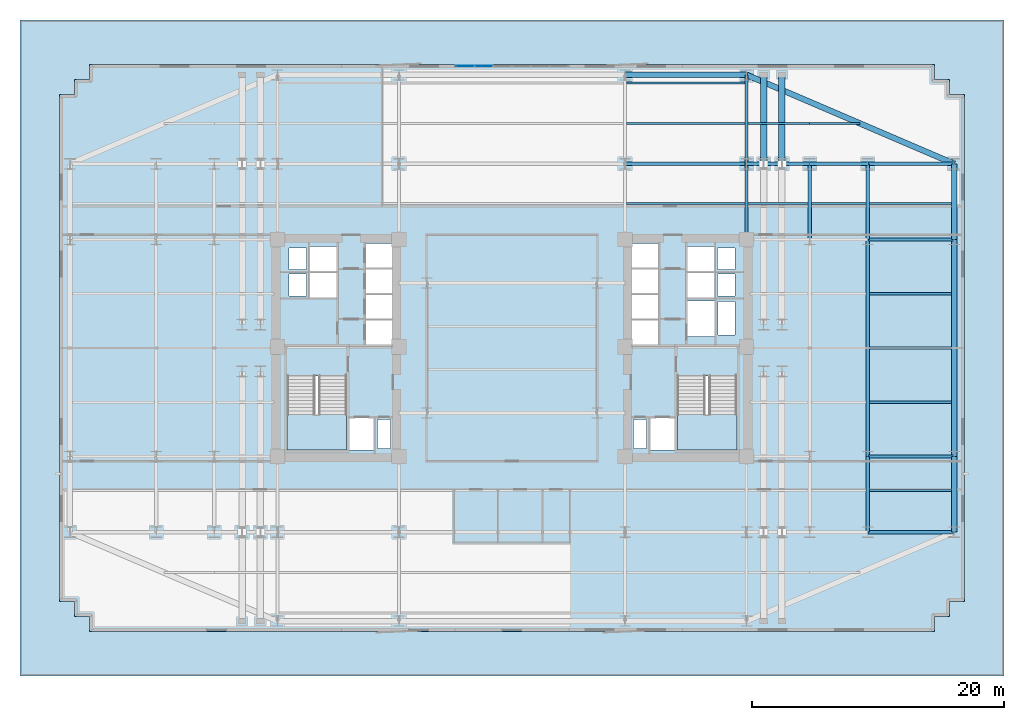
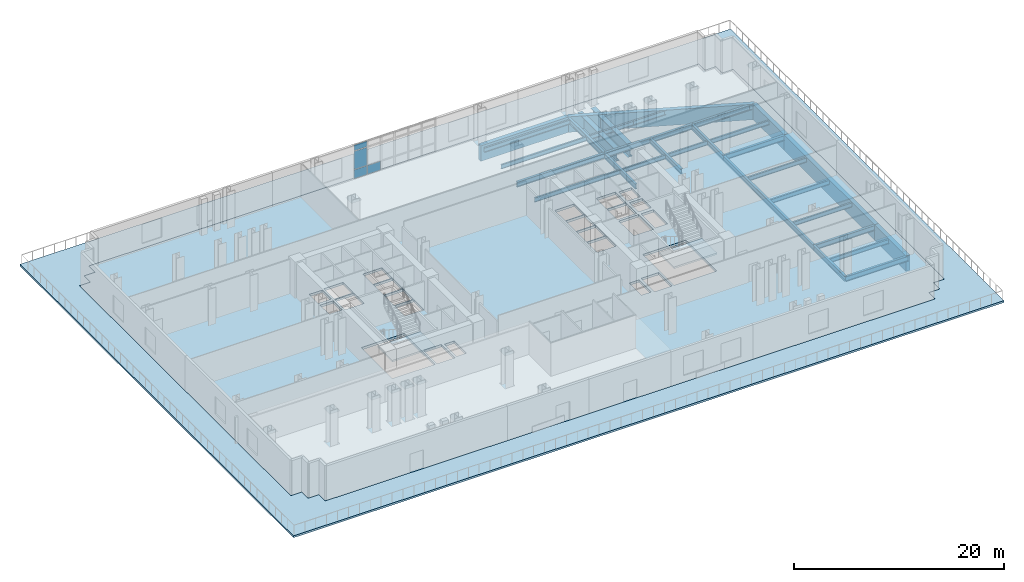
# One storey, part 4 of 14: 32 beams, 4 plates, 4 slabs, 3 elements without a shape of their own.
"""IFC4 building model written with IfcOpenShell, lengths in metres."""

from ifc_helpers import new_model, si_unit, direction, frame, origin, origin_2d, place, context, subcontext, project, spatial, polyline, rectangle, i_section, outline, extrude, material, layer, layer_set, material_profile, profile_set, type_object, element, aggregate, save


model = new_model("IFC4")

# Units and contexts
model_context = context("Model", 3, precision=1e-05, world=origin(), true_north=direction((0.0, 1.0)))
body_context = subcontext(model_context, "Body", "Model", "MODEL_VIEW")
ifc_project = project(units=[si_unit("LENGTHUNIT", "METRE"), si_unit("AREAUNIT", "SQUARE_METRE"), si_unit("VOLUMEUNIT", "CUBIC_METRE"), si_unit("PLANEANGLEUNIT", "RADIAN"), si_unit("MASSUNIT", "GRAM", prefix="KILO")], contexts=[model_context])

# Site, building, storey
site_placement = place(None, origin())
site = spatial("IfcSite", under=ifc_project, at=site_placement, CompositionType="ELEMENT")
building_placement = place(site_placement, origin())
building = spatial("IfcBuilding", under=site, at=building_placement, Name="Velakula Bourse", CompositionType="ELEMENT")
storey_placement = place(building_placement, frame((0.0, 0.0, 27.0)))
storey = spatial("IfcBuildingStorey", under=building, at=storey_placement, Name="L06", CompositionType="ELEMENT", Elevation=27.0)

# Beams
ifc_material_1 = material(Name="Steel IS 2062 Grade 350 (E350)", Category="steel")
ifc_material_profile_1 = material_profile(ifc_material_1, i_section(OverallWidth=0.25, OverallDepth=0.60009765625, WebThickness=0.01171875, FlangeThickness=0.023681640625, at=origin_2d()), Name="Steel IS 2062 Grade 350 (E350)")
ifc_profile_set_1 = profile_set([ifc_material_profile_1], Name="Steel IS 2062 Grade 350 (E350)")
beam_type_1 = type_object("IfcBeamType", Name="BM-GRD-600H", PredefinedType="BEAM", material=ifc_profile_set_1)
beam_1_placement = place(storey_placement, frame((18.60009765625, 8.60009765625, -0.580078125), z_axis=(0.0, 1.0, 0.0), x_axis=(-1.0, 0.0, 0.0)))
element("IfcBeam", 1, at=beam_1_placement, inside=storey, type_object=beam_type_1, Name="L06 Fulcrum Grid Girder FLC-EN", PredefinedType="BEAM", context=body_context, shape_type="SweptSolid", body=[
    extrude(i_section(OverallWidth=0.25, OverallDepth=0.60009765625, WebThickness=0.01171875, FlangeThickness=0.023681640625, at=origin_2d()), origin(), (0.0, 0.0, 1.0), 6.0),
])
beam_2_placement = place(storey_placement, frame((8.949951171875, 14.60009765625, -0.580078125), z_axis=(1.0, 0.0, 0.0), x_axis=(0.0, 1.0, 0.0)))
element("IfcBeam", 2, at=beam_2_placement, inside=storey, type_object=beam_type_1, Name="L06 Fulcrum Grid Girder FLC-N3", PredefinedType="BEAM", context=body_context, shape_type="SweptSolid", body=[
    extrude(i_section(OverallWidth=0.25, OverallDepth=0.60009765625, WebThickness=0.01171875, FlangeThickness=0.023681640625, at=origin_2d()), origin(), (0.0, 0.0, 1.0), 9.650146484375),
])
beam_3_placement = place(storey_placement, frame((18.60009765625, 14.60009765625, -0.580078125), z_axis=(1.0, 0.0, 0.0), x_axis=(0.0, 1.0, 0.0)))
element("IfcBeam", 3, at=beam_3_placement, inside=storey, type_object=beam_type_1, Name="L06 Fulcrum Grid Girder MWG-EN2", PredefinedType="BEAM", context=body_context, shape_type="SweptSolid", body=[
    extrude(i_section(OverallWidth=0.25, OverallDepth=0.60009765625, WebThickness=0.01171875, FlangeThickness=0.023681640625, at=origin_2d()), origin(), (0.0, 0.0, 1.0), 5.0),
])
beam_4_placement = place(storey_placement, frame((23.60009765625, 8.60009765625, -0.580078125), z_axis=(0.0, 1.0, 0.0), x_axis=(-1.0, 0.0, 0.0)))
element("IfcBeam", 4, at=beam_4_placement, inside=storey, type_object=beam_type_1, Name="L06 Fulcrum Grid Girder MWG-ENS3", PredefinedType="BEAM", context=body_context, shape_type="SweptSolid", body=[
    extrude(i_section(OverallWidth=0.25, OverallDepth=0.60009765625, WebThickness=0.01171875, FlangeThickness=0.023681640625, at=origin_2d()), origin(), (0.0, 0.0, 1.0), 6.0),
])
beam_5_placement = place(storey_placement, frame((23.60009765625, 14.60009765625, -0.580078125), z_axis=(1.0, 0.0, 0.0), x_axis=(0.0, 1.0, 0.0)))
element("IfcBeam", 5, at=beam_5_placement, inside=storey, type_object=beam_type_1, Name="L06 Fulcrum Grid Girder WNG-EN2", PredefinedType="BEAM", context=body_context, shape_type="SweptSolid", body=[
    extrude(i_section(OverallWidth=0.25, OverallDepth=0.60009765625, WebThickness=0.01171875, FlangeThickness=0.023681640625, at=origin_2d()), origin(), (0.0, 0.0, 1.0), 4.599853515625),
])
beam_6_placement = place(storey_placement, frame((28.199951171875, -14.60009765625, -0.580078125), z_axis=(0.0, 1.0, 0.0), x_axis=(-1.0, 0.0, 0.0)))
element("IfcBeam", 6, at=beam_6_placement, inside=storey, type_object=beam_type_1, Name="L06 Fulcrum Grid Girder WNG-ENS1", PredefinedType="BEAM", context=body_context, shape_type="SweptSolid", body=[
    extrude(i_section(OverallWidth=0.25, OverallDepth=0.60009765625, WebThickness=0.01171875, FlangeThickness=0.023681640625, at=origin_2d()), origin(), (0.0, 0.0, 1.0), 6.0),
])
beam_7_placement = place(storey_placement, frame((28.199951171875, -8.60009765625, -0.580078125), z_axis=(0.0, 1.0, 0.0), x_axis=(-1.0, 0.0, 0.0)))
element("IfcBeam", 7, at=beam_7_placement, inside=storey, type_object=beam_type_1, Name="L06 Fulcrum Grid Girder WNG-ENS2", PredefinedType="BEAM", context=body_context, shape_type="SweptSolid", body=[
    extrude(i_section(OverallWidth=0.25, OverallDepth=0.60009765625, WebThickness=0.01171875, FlangeThickness=0.023681640625, at=origin_2d()), origin(), (0.0, 0.0, 1.0), 17.2001953125),
])
beam_8_placement = place(storey_placement, frame((28.199951171875, 8.60009765625, -0.580078125), z_axis=(0.0, 1.0, 0.0), x_axis=(-1.0, 0.0, 0.0)))
element("IfcBeam", 8, at=beam_8_placement, inside=storey, type_object=beam_type_1, Name="L06 Fulcrum Grid Girder WNG-ENS3", PredefinedType="BEAM", context=body_context, shape_type="SweptSolid", body=[
    extrude(i_section(OverallWidth=0.25, OverallDepth=0.60009765625, WebThickness=0.01171875, FlangeThickness=0.023681640625, at=origin_2d()), origin(), (0.0, 0.0, 1.0), 6.0),
])
beam_9_placement = place(storey_placement, frame((18.60009765625, 14.60009765625, -0.580078125), z_axis=(0.0, 1.0, 0.0), x_axis=(-1.0, 0.0, 0.0)))
element("IfcBeam", 9, at=beam_9_placement, inside=storey, type_object=beam_type_1, Name="L06 Perimeter Tie Girder N4", PredefinedType="BEAM", context=body_context, shape_type="SweptSolid", body=[
    extrude(i_section(OverallWidth=0.25, OverallDepth=0.60009765625, WebThickness=0.01171875, FlangeThickness=0.023681640625, at=origin_2d()), origin(), (0.0, 0.0, 1.0), 7.0498046875),
])
for number, where, z_axis, x_axis, name in (
    (10, (28.199951171875, -14.60009765625, -0.580078125), (1.0, 0.0, 0.0), (0.0, 1.0, 0.0), "L06 Perimeter Tie Girder E1"),
    (11, (28.199951171875, -8.60009765625, -0.580078125), (1.0, 0.0, 0.0), (0.0, 1.0, 0.0), "L06 Perimeter Tie Girder E2"),
    (12, (28.199951171875, 8.60009765625, -0.580078125), (1.0, 0.0, 0.0), (0.0, 1.0, 0.0), "L06 Perimeter Tie Girder E3"),
    (13, (28.199951171875, 14.60009765625, -0.580078125), (1.0, 0.0, 0.0), (0.0, 1.0, 0.0), "L06 Perimeter Tie Girder E4"),
):
    element("IfcBeam", number, at=place(storey_placement, frame(where, z_axis=z_axis, x_axis=x_axis)), inside=storey, type_object=beam_type_1, Name=name, PredefinedType="BEAM", context=body_context, shape_type="SweptSolid", body=[
        extrude(i_section(OverallWidth=0.25, OverallDepth=0.60009765625, WebThickness=0.01171875, FlangeThickness=0.023681640625, at=origin_2d()), origin(), (0.0, 0.0, 1.0), 6.85009765625),
    ])
ifc_material_profile_2 = material_profile(ifc_material_1, i_section(OverallWidth=0.179931640625, OverallDepth=0.5, WebThickness=0.01025390625, FlangeThickness=0.01708984375, at=origin_2d()), Name="Steel IS 2062 Grade 350 (E350)")
ifc_profile_set_2 = profile_set([ifc_material_profile_2], Name="Steel IS 2062 Grade 350 (E350)")
beam_type_2 = type_object("IfcBeamType", Name="JST-TWR-500", PredefinedType="JOIST", material=ifc_profile_set_2)
beam_10_placement = place(storey_placement, frame((28.324951171875, -11.300048828125, -0.530029296875), z_axis=(1.0, 0.0, 0.0), x_axis=(0.0, 1.0, 0.0)))
element("IfcBeam", 14, at=beam_10_placement, inside=storey, type_object=beam_type_2, Name="L06 Trading Floor Composite Joist 19", PredefinedType="JOIST", context=body_context, shape_type="SweptSolid", body=[
    extrude(i_section(OverallWidth=0.179931640625, OverallDepth=0.5, WebThickness=0.01025390625, FlangeThickness=0.01708984375, at=origin_2d()), origin(), (0.0, 0.0, 1.0), 6.5),
])
beam_11_placement = place(storey_placement, frame((9.074951171875, 11.449951171875, -0.530029296875), z_axis=(1.0, 0.0, 0.0), x_axis=(0.0, 1.0, 0.0)))
element("IfcBeam", 15, at=beam_11_placement, inside=storey, type_object=beam_type_2, Name="L06 Trading Floor Composite Joist 25", PredefinedType="JOIST", context=body_context, shape_type="SweptSolid", body=[
    extrude(i_section(OverallWidth=0.179931640625, OverallDepth=0.5, WebThickness=0.01025390625, FlangeThickness=0.01708984375, at=origin_2d()), origin(), (0.0, 0.0, 1.0), 9.400146484375),
])
beam_12_placement = place(storey_placement, frame((18.72509765625, 11.449951171875, -0.530029296875), z_axis=(1.0, 0.0, 0.0), x_axis=(0.0, 1.0, 0.0)))
element("IfcBeam", 16, at=beam_12_placement, inside=storey, type_object=beam_type_2, Name="L06 Trading Floor Composite Joist 26", PredefinedType="JOIST", context=body_context, shape_type="SweptSolid", body=[
    extrude(i_section(OverallWidth=0.179931640625, OverallDepth=0.5, WebThickness=0.01025390625, FlangeThickness=0.01708984375, at=origin_2d()), origin(), (0.0, 0.0, 1.0), 4.75),
])
beam_13_placement = place(storey_placement, frame((23.72509765625, 11.449951171875, -0.530029296875), z_axis=(1.0, 0.0, 0.0), x_axis=(0.0, 1.0, 0.0)))
element("IfcBeam", 17, at=beam_13_placement, inside=storey, type_object=beam_type_2, Name="L06 Trading Floor Composite Joist 27", PredefinedType="JOIST", context=body_context, shape_type="SweptSolid", body=[
    extrude(i_section(OverallWidth=0.179931640625, OverallDepth=0.5, WebThickness=0.01025390625, FlangeThickness=0.01708984375, at=origin_2d()), origin(), (0.0, 0.0, 1.0), 4.349853515625),
])
beam_14_placement = place(storey_placement, frame((28.324951171875, 11.449951171875, -0.530029296875), z_axis=(1.0, 0.0, 0.0), x_axis=(0.0, 1.0, 0.0)))
element("IfcBeam", 18, at=beam_14_placement, inside=storey, type_object=beam_type_2, Name="L06 Trading Floor Composite Joist 28", PredefinedType="JOIST", context=body_context, shape_type="SweptSolid", body=[
    extrude(i_section(OverallWidth=0.179931640625, OverallDepth=0.5, WebThickness=0.01025390625, FlangeThickness=0.01708984375, at=origin_2d()), origin(), (0.0, 0.0, 1.0), 6.5),
])
beam_15_placement = place(storey_placement, frame((9.074951171875, 17.800048828125, -0.530029296875), z_axis=(1.0, 0.0, 0.0), x_axis=(0.0, 1.0, 0.0)))
element("IfcBeam", 19, at=beam_15_placement, inside=storey, type_object=beam_type_2, Name="L06 Trading Floor Composite Joist 33", PredefinedType="JOIST", context=body_context, shape_type="SweptSolid", body=[
    extrude(i_section(OverallWidth=0.179931640625, OverallDepth=0.5, WebThickness=0.01025390625, FlangeThickness=0.01708984375, at=origin_2d()), origin(), (0.0, 0.0, 1.0), 9.400146484375),
])
beam_16_placement = place(storey_placement, frame((18.72509765625, 17.800048828125, -0.530029296875), z_axis=(1.0, 0.0, 0.0), x_axis=(0.0, 1.0, 0.0)))
element("IfcBeam", 20, at=beam_16_placement, inside=storey, type_object=beam_type_2, Name="L06 Trading Floor Composite Joist 34", PredefinedType="JOIST", context=body_context, shape_type="SweptSolid", body=[
    extrude(i_section(OverallWidth=0.179931640625, OverallDepth=0.5, WebThickness=0.01025390625, FlangeThickness=0.01708984375, at=origin_2d()), origin(), (0.0, 0.0, 1.0), 4.875),
])
beam_17_placement = place(storey_placement, frame((23.60009765625, 17.800048828125, -0.530029296875), z_axis=(1.0, 0.0, 0.0), x_axis=(0.0, 1.0, 0.0)))
element("IfcBeam", 21, at=beam_17_placement, inside=storey, type_object=beam_type_2, Name="L06 Trading Floor Composite Joist 35", PredefinedType="JOIST", context=body_context, shape_type="SweptSolid", body=[
    extrude(i_section(OverallWidth=0.179931640625, OverallDepth=0.5, WebThickness=0.01025390625, FlangeThickness=0.01708984375, at=origin_2d()), origin(), (0.0, 0.0, 1.0), 3.983154296875),
])
beam_18_placement = place(storey_placement, frame((9.074951171875, 21.0, -0.530029296875), z_axis=(1.0, 0.0, 0.0), x_axis=(0.0, 1.0, 0.0)))
element("IfcBeam", 22, at=beam_18_placement, inside=storey, type_object=beam_type_2, Name="L06 Trading Floor Composite Joist 38", PredefinedType="JOIST", context=body_context, shape_type="SweptSolid", body=[
    extrude(i_section(OverallWidth=0.179931640625, OverallDepth=0.5, WebThickness=0.01025390625, FlangeThickness=0.01708984375, at=origin_2d()), origin(), (0.0, 0.0, 1.0), 9.400146484375),
])
for number, where, z_axis, x_axis, name in (
    (23, (28.324951171875, -4.300048828125, -0.530029296875), (1.0, 0.0, 0.0), (0.0, 1.0, 0.0), "L06 Trading Floor Composite Joist 46"),
    (24, (28.324951171875, 0.0, -0.530029296875), (1.0, 0.0, 0.0), (0.0, 1.0, 0.0), "L06 Trading Floor Composite Joist 52"),
    (25, (28.324951171875, 4.300048828125, -0.530029296875), (1.0, 0.0, 0.0), (0.0, 1.0, 0.0), "L06 Trading Floor Composite Joist 58"),
):
    element("IfcBeam", number, at=place(storey_placement, frame(where, z_axis=z_axis, x_axis=x_axis)), inside=storey, type_object=beam_type_2, Name=name, PredefinedType="JOIST", context=body_context, shape_type="SweptSolid", body=[
        extrude(i_section(OverallWidth=0.179931640625, OverallDepth=0.5, WebThickness=0.01025390625, FlangeThickness=0.01708984375, at=origin_2d()), origin(), (0.0, 0.0, 1.0), 6.5),
    ])
ifc_material_2 = material(Name="Concrete M50 (fck 50 MPa)", Category="concrete")
ifc_material_profile_3 = material_profile(ifc_material_2, rectangle(XDim=0.449951171875, YDim=1.800048828125, at=origin_2d()), Name="Concrete M50 (fck 50 MPa)")
ifc_profile_set_3 = profile_set([ifc_material_profile_3], Name="Concrete M50 (fck 50 MPa)")
beam_type_3 = type_object("IfcBeamType", Name="SPN-TRF-1800", PredefinedType="SPANDREL", material=ifc_profile_set_3)
beam_19_placement = place(storey_placement, frame((8.949951171875, 21.64990234375, -1.179931640625), z_axis=(1.0, 0.0, 0.0), x_axis=(0.0, 1.0, 0.0)))
element("IfcBeam", 26, at=beam_19_placement, inside=storey, type_object=beam_type_3, Name="L06 Brick-Faced Precast Spandrel N3-N4", PredefinedType="SPANDREL", context=body_context, shape_type="SweptSolid", body=[
    extrude(rectangle(XDim=0.449951171875, YDim=1.800048828125, at=origin_2d()), origin(), (0.0, 0.0, 1.0), 9.650146484375),
])
beam_20_placement = place(storey_placement, frame((35.050048828125, -14.60009765625, -1.179931640625), z_axis=(0.0, 1.0, 0.0), x_axis=(-1.0, 0.0, 0.0)))
element("IfcBeam", 27, at=beam_20_placement, inside=storey, type_object=beam_type_3, Name="L06 Brick-Faced Precast Spandrel E1-E2", PredefinedType="SPANDREL", context=body_context, shape_type="SweptSolid", body=[
    extrude(rectangle(XDim=0.449951171875, YDim=1.800048828125, at=origin_2d()), origin(), (0.0, 0.0, 1.0), 6.0),
])
beam_21_placement = place(storey_placement, frame((35.050048828125, -8.60009765625, -1.179931640625), z_axis=(0.0, 1.0, 0.0), x_axis=(-1.0, 0.0, 0.0)))
element("IfcBeam", 28, at=beam_21_placement, inside=storey, type_object=beam_type_3, Name="L06 Brick-Faced Precast Spandrel E2-E3", PredefinedType="SPANDREL", context=body_context, shape_type="SweptSolid", body=[
    extrude(rectangle(XDim=0.449951171875, YDim=1.800048828125, at=origin_2d()), origin(), (0.0, 0.0, 1.0), 17.2001953125),
])
beam_22_placement = place(storey_placement, frame((35.050048828125, 8.60009765625, -1.179931640625), z_axis=(0.0, 1.0, 0.0), x_axis=(-1.0, 0.0, 0.0)))
element("IfcBeam", 29, at=beam_22_placement, inside=storey, type_object=beam_type_3, Name="L06 Brick-Faced Precast Spandrel E3-E4", PredefinedType="SPANDREL", context=body_context, shape_type="SweptSolid", body=[
    extrude(rectangle(XDim=0.449951171875, YDim=1.800048828125, at=origin_2d()), origin(), (0.0, 0.0, 1.0), 6.0),
])
beam_23_placement = place(storey_placement, frame((35.050048828125, 14.60009765625, -1.179931640625), z_axis=(-0.919148557947, 0.393911066642, 0.0), x_axis=(-0.393911066642, -0.919148557947, 0.0)))
element("IfcBeam", 30, at=beam_23_placement, inside=storey, type_object=beam_type_3, Name="L06 Brick-Faced Precast Spandrel E4-N4", PredefinedType="SPANDREL", context=body_context, shape_type="SweptSolid", body=[
    extrude(rectangle(XDim=0.449951171875, YDim=1.800048828125, at=origin_2d()), origin(), (0.0, 0.0, 1.0), 17.89697265625),
])
ifc_material_3 = material(Name="Steel IS 2062 Grade 450 (E450)", Category="steel")
ifc_material_profile_4 = material_profile(ifc_material_3, i_section(OverallWidth=0.52001953125, OverallDepth=1.5, WebThickness=0.030029296875, FlangeThickness=0.048095703125, at=origin_2d()), Name="Steel IS 2062 Grade 450 (E450)")
ifc_profile_set_4 = profile_set([ifc_material_profile_4], Name="Steel IS 2062 Grade 450 (E450)")
beam_type_4 = type_object("IfcBeamType", Name="TB-CANT-1500", PredefinedType="BEAM", material=ifc_profile_set_4)
for number, where, z_axis, x_axis, name in (
    (31, (19.949951171875, 14.60009765625, -1.030029296875), (0.0, 1.0, 0.0), (-1.0, 0.0, 0.0), "L06 Primary Cantilever Transfer Chord P07"),
    (32, (21.39990234375, 14.60009765625, -1.030029296875), (0.0, 1.0, 0.0), (-1.0, 0.0, 0.0), "L06 Primary Cantilever Transfer Chord P08"),
):
    element("IfcBeam", number, at=place(storey_placement, frame(where, z_axis=z_axis, x_axis=x_axis)), inside=storey, type_object=beam_type_4, Name=name, PredefinedType="BEAM", context=body_context, shape_type="SweptSolid", body=[
        extrude(i_section(OverallWidth=0.52001953125, OverallDepth=1.5, WebThickness=0.030029296875, FlangeThickness=0.048095703125, at=origin_2d()), origin(), (0.0, 0.0, 1.0), 7.0498046875),
    ])

# Curtain wall, plates
ifc_material_4 = material(Name="Anodised bronze architectural aluminium", Category="aluminium")
ifc_layer_1 = layer(ifc_material_4, 0.1650390625, Name="Anodised bronze architectural aluminium", Category="aluminium")
ifc_layer_set_1 = layer_set([ifc_layer_1], Name="Anodised bronze architectural aluminium")
curtain_wall_type = type_object("IfcCurtainWallType", Name="CW-SL1", PredefinedType="NOTDEFINED", material=ifc_layer_set_1)
curtain_wall_placement = place(storey_placement, origin())
curtain_wall = element("IfcCurtainWall", 33, at=curtain_wall_placement, inside=storey, type_object=curtain_wall_type, Name="L06 Sky-Lobby Feature Curtain Wall", PredefinedType="NOTDEFINED")
ifc_material_5 = material(Name="Double-glazed solar-control Low-E glass", Category="glass")
ifc_layer_2 = layer(ifc_material_5, 0.02490234375, Name="Double-glazed solar-control Low-E glass", Category="glass")
ifc_layer_set_2 = layer_set([ifc_layer_2], Name="Double-glazed solar-control Low-E glass")
plate_type = type_object("IfcPlateType", Name="PNL-CW-SL1", PredefinedType="CURTAIN_PANEL", material=ifc_layer_set_2)
plate_1_placement = place(storey_placement, frame((-3.735107421875, 22.340087890625, 0.06005859375), z_axis=(0.0, 0.0, 1.0), x_axis=(1.0, 0.0, 0.0)))
plate_1 = element("IfcPlate", 34, at=plate_1_placement, type_object=plate_type, Name="CW-SL1 panel 1.1", PredefinedType="CURTAIN_PANEL", context=body_context, shape_type="SweptSolid", body=[
    extrude(rectangle(XDim=1.409912109375, YDim=0.028076171875, at=origin_2d()), origin(), (0.0, 0.0, 1.0), 1.010009765625),
])
plate_2_placement = place(storey_placement, frame((-3.735107421875, 22.340087890625, 1.1298828125), z_axis=(0.0, 0.0, 1.0), x_axis=(1.0, 0.0, 0.0)))
plate_2 = element("IfcPlate", 35, at=plate_2_placement, type_object=plate_type, Name="CW-SL1 panel 1.2", PredefinedType="CURTAIN_PANEL", context=body_context, shape_type="SweptSolid", body=[
    extrude(rectangle(XDim=1.409912109375, YDim=0.028076171875, at=origin_2d()), origin(), (0.0, 0.0, 1.0), 2.090087890625),
])
plate_3_placement = place(storey_placement, frame((-3.735107421875, 22.340087890625, 3.2802734375), z_axis=(0.0, 0.0, 1.0), x_axis=(1.0, 0.0, 0.0)))
plate_3 = element("IfcPlate", 36, at=plate_3_placement, type_object=plate_type, Name="CW-SL1 panel 1.3", PredefinedType="CURTAIN_PANEL", context=body_context, shape_type="SweptSolid", body=[
    extrude(rectangle(XDim=1.409912109375, YDim=0.028076171875, at=origin_2d()), origin(), (0.0, 0.0, 1.0), 0.659912109375),
])
plate_4_placement = place(storey_placement, frame((-2.25, 22.340087890625, 0.06005859375), z_axis=(0.0, 0.0, 1.0), x_axis=(1.0, 0.0, 0.0)))
plate_4 = element("IfcPlate", 37, at=plate_4_placement, type_object=plate_type, Name="CW-SL1 panel 2.1", PredefinedType="CURTAIN_PANEL", context=body_context, shape_type="SweptSolid", body=[
    extrude(rectangle(XDim=1.43994140625, YDim=0.028076171875, at=origin_2d()), origin(), (0.0, 0.0, 1.0), 1.010009765625),
])
aggregate(curtain_wall, [plate_1, plate_2, plate_3, plate_4])

# Stair, slab
ifc_material_6 = material(Name="Concrete M45 (fck 45 MPa)", Category="concrete")
stair_type = type_object("IfcStairType", Name="STR-DOG-435", PredefinedType="HALF_TURN_STAIR", material=ifc_material_6)
stair_1_placement = place(storey_placement, origin())
stair_1 = element("IfcStair", 38, at=stair_1_placement, inside=storey, type_object=stair_type, Name="L06 West Core Exit Stair ST-W1", PredefinedType="HALF_TURN_STAIR")
ifc_layer_3 = layer(ifc_material_6, 0.199951171875, Name="Concrete M45 (fck 45 MPa)", Category="concrete")
ifc_layer_set_3 = layer_set([ifc_layer_3], Name="Concrete M45 (fck 45 MPa)")
slab_type_1 = type_object("IfcSlabType", Name="SLB-STAIR-LND-200", PredefinedType="LANDING", material=ifc_layer_set_3)
slab_1_placement = place(storey_placement, frame((0.0, 0.0, 1.89990234375)))
slab_1 = element("IfcSlab", 39, at=slab_1_placement, type_object=slab_type_1, Name="ST-W1 landing 1", PredefinedType="LANDING", context=body_context, shape_type="SweptSolid", body=[
    extrude(outline(polyline([(-17.820068359375, -5.280029296875), (-17.820068359375, -8.10009765625), (-13.10009765625, -8.10009765625), (-13.10009765625, -5.280029296875), (-17.820068359375, -5.280029296875)])), origin(), (0.0, 0.0, 1.0), 0.2001953125),
])
aggregate(stair_1, [slab_1])

stair_2_placement = place(storey_placement, origin())
stair_2 = element("IfcStair", 40, at=stair_2_placement, inside=storey, type_object=stair_type, Name="L06 East Core Exit Stair ST-E1", PredefinedType="HALF_TURN_STAIR")
slab_2_placement = place(storey_placement, frame((0.0, 0.0, 1.89990234375)))
slab_2 = element("IfcSlab", 41, at=slab_2_placement, type_object=slab_type_1, Name="ST-E1 landing 1", PredefinedType="LANDING", context=body_context, shape_type="SweptSolid", body=[
    extrude(outline(polyline([(13.10009765625, -5.280029296875), (13.10009765625, -8.10009765625), (17.820068359375, -8.10009765625), (17.820068359375, -5.280029296875), (13.10009765625, -5.280029296875)])), origin(), (0.0, 0.0, 1.0), 0.2001953125),
])
aggregate(stair_2, [slab_2])

# Slabs
ifc_layer_4 = layer(ifc_material_2, 0.219970703125, Name="Concrete M50 (fck 50 MPa)", Category="concrete")
ifc_layer_set_4 = layer_set([ifc_layer_4], Name="Concrete M50 (fck 50 MPa)")
slab_type_2 = type_object("IfcSlabType", Name="SLB-TERR-220", PredefinedType="ROOF", material=ifc_layer_set_4)
slab_3_placement = place(storey_placement, frame((0.0, 0.0, -0.219970703125)))
element("IfcSlab", 42, at=slab_3_placement, inside=storey, type_object=slab_type_2, Name="L06 Podium Landscaped Roof Terrace", PredefinedType="ROOF", context=body_context, shape_type="SweptSolid", body=[
    extrude(outline(polyline([(-39.0, 26.0), (39.0, 26.0), (39.0, -26.0), (-39.0, -26.0), (-39.0, 26.0)]), holes=[polyline([(33.47998046875, -22.47998046875), (33.47998046875, -21.300048828125), (33.47998046875, -21.298095703125), (33.48046875, -21.296142578125), (33.48095703125, -21.294189453125), (33.4814453125, -21.292236328125), (33.482421875, -21.29052734375), (33.4833984375, -21.288818359375), (33.484619140625, -21.287353515625), (33.48583984375, -21.285888671875), (33.4873046875, -21.284423828125), (33.489013671875, -21.283447265625), (33.490478515625, -21.282470703125), (33.4921875, -21.281494140625), (33.494140625, -21.281005859375), (33.49609375, -21.280517578125), (33.498046875, -21.280029296875), (33.5, -21.280029296875), (34.679931640625, -21.280029296875), (34.679931640625, -20.10009765625), (34.68017578125, -20.097900390625), (34.680419921875, -20.09619140625), (34.680908203125, -20.09423828125), (34.681396484375, -20.09228515625), (34.682373046875, -20.090576171875), (34.683349609375, -20.0888671875), (34.6845703125, -20.08740234375), (34.685791015625, -20.0859375), (34.687255859375, -20.08447265625), (34.68896484375, -20.08349609375), (34.690673828125, -20.08251953125), (34.6923828125, -20.08154296875), (34.694091796875, -20.080810546875), (34.696044921875, -20.080322265625), (34.697998046875, -20.080078125), (34.699951171875, -20.080078125), (35.8798828125, -20.080078125), (35.8798828125, 20.080078125), (34.699951171875, 20.080078125), (34.697998046875, 20.080078125), (34.696044921875, 20.080322265625), (34.694091796875, 20.080810546875), (34.6923828125, 20.08154296875), (34.690673828125, 20.08251953125), (34.68896484375, 20.08349609375), (34.687255859375, 20.08447265625), (34.685791015625, 20.0859375), (34.6845703125, 20.08740234375), (34.683349609375, 20.0888671875), (34.682373046875, 20.090576171875), (34.681396484375, 20.09228515625), (34.680908203125, 20.09423828125), (34.680419921875, 20.09619140625), (34.68017578125, 20.097900390625), (34.679931640625, 20.10009765625), (34.679931640625, 21.280029296875), (33.5, 21.280029296875), (33.498046875, 21.280029296875), (33.49609375, 21.280517578125), (33.494140625, 21.281005859375), (33.4921875, 21.281494140625), (33.490478515625, 21.282470703125), (33.489013671875, 21.283447265625), (33.4873046875, 21.284423828125), (33.48583984375, 21.285888671875), (33.484619140625, 21.287353515625), (33.4833984375, 21.288818359375), (33.482421875, 21.29052734375), (33.4814453125, 21.292236328125), (33.48095703125, 21.294189453125), (33.48046875, 21.296142578125), (33.47998046875, 21.298095703125), (33.47998046875, 21.300048828125), (33.47998046875, 22.47998046875), (-33.47998046875, 22.47998046875), (-33.47998046875, 21.300048828125), (-33.47998046875, 21.298095703125), (-33.48046875, 21.296142578125), (-33.48095703125, 21.294189453125), (-33.4814453125, 21.292236328125), (-33.482421875, 21.29052734375), (-33.4833984375, 21.288818359375), (-33.484619140625, 21.287353515625), (-33.48583984375, 21.285888671875), (-33.4873046875, 21.284423828125), (-33.489013671875, 21.283447265625), (-33.490478515625, 21.282470703125), (-33.4921875, 21.281494140625), (-33.494140625, 21.281005859375), (-33.49609375, 21.280517578125), (-33.498046875, 21.280029296875), (-33.5, 21.280029296875), (-34.679931640625, 21.280029296875), (-34.679931640625, 20.10009765625), (-34.68017578125, 20.097900390625), (-34.680419921875, 20.09619140625), (-34.680908203125, 20.09423828125), (-34.681396484375, 20.09228515625), (-34.682373046875, 20.090576171875), (-34.683349609375, 20.0888671875), (-34.6845703125, 20.08740234375), (-34.685791015625, 20.0859375), (-34.687255859375, 20.08447265625), (-34.68896484375, 20.08349609375), (-34.690673828125, 20.08251953125), (-34.6923828125, 20.08154296875), (-34.694091796875, 20.080810546875), (-34.696044921875, 20.080322265625), (-34.697998046875, 20.080078125), (-34.699951171875, 20.080078125), (-35.8798828125, 20.080078125), (-35.8798828125, -20.080078125), (-34.699951171875, -20.080078125), (-34.697998046875, -20.080078125), (-34.696044921875, -20.080322265625), (-34.694091796875, -20.080810546875), (-34.6923828125, -20.08154296875), (-34.690673828125, -20.08251953125), (-34.68896484375, -20.08349609375), (-34.687255859375, -20.08447265625), (-34.685791015625, -20.0859375), (-34.6845703125, -20.08740234375), (-34.683349609375, -20.0888671875), (-34.682373046875, -20.090576171875), (-34.681396484375, -20.09228515625), (-34.680908203125, -20.09423828125), (-34.680419921875, -20.09619140625), (-34.68017578125, -20.097900390625), (-34.679931640625, -20.10009765625), (-34.679931640625, -21.280029296875), (-33.5, -21.280029296875), (-33.498046875, -21.280029296875), (-33.49609375, -21.280517578125), (-33.494140625, -21.281005859375), (-33.4921875, -21.281494140625), (-33.490478515625, -21.282470703125), (-33.489013671875, -21.283447265625), (-33.4873046875, -21.284423828125), (-33.48583984375, -21.285888671875), (-33.484619140625, -21.287353515625), (-33.4833984375, -21.288818359375), (-33.482421875, -21.29052734375), (-33.4814453125, -21.292236328125), (-33.48095703125, -21.294189453125), (-33.48046875, -21.296142578125), (-33.47998046875, -21.298095703125), (-33.47998046875, -21.300048828125), (-33.47998046875, -22.47998046875), (33.47998046875, -22.47998046875)])]), origin(), (0.0, 0.0, 1.0), 0.219970703125),
])
ifc_layer_5 = layer(ifc_material_2, 0.280029296875, Name="Concrete M50 (fck 50 MPa)", Category="concrete")
ifc_layer_set_5 = layer_set([ifc_layer_5], Name="Concrete M50 (fck 50 MPa)")
slab_type_3 = type_object("IfcSlabType", Name="SLB-TRF-280", PredefinedType="FLOOR", material=ifc_layer_set_5)
slab_4_placement = place(storey_placement, frame((0.0, 0.0, -0.280029296875)))
element("IfcSlab", 43, at=slab_4_placement, inside=storey, type_object=slab_type_3, Name="L06 Suspended Structural Floor Slab", PredefinedType="FLOOR", context=body_context, shape_type="SweptSolid", body=[
    extrude(outline(polyline([(-33.5, -22.5), (33.5, -22.5), (33.5, -21.300048828125), (34.699951171875, -21.300048828125), (34.699951171875, -20.10009765625), (35.89990234375, -20.10009765625), (35.89990234375, 20.10009765625), (34.699951171875, 20.10009765625), (34.699951171875, 21.300048828125), (33.5, 21.300048828125), (33.5, 22.5), (-33.5, 22.5), (-33.5, 21.300048828125), (-34.699951171875, 21.300048828125), (-34.699951171875, 20.10009765625), (-35.89990234375, 20.10009765625), (-35.89990234375, -20.10009765625), (-34.699951171875, -20.10009765625), (-34.699951171875, -21.300048828125), (-33.5, -21.300048828125), (-33.5, -22.5)]), holes=[polyline([(-17.820068359375, -8.10009765625), (-13.10009765625, -8.10009765625), (-13.10009765625, -2.199951171875), (-17.820068359375, -2.199951171875), (-17.820068359375, -8.10009765625)]), polyline([(13.10009765625, -8.10009765625), (17.820068359375, -8.10009765625), (17.820068359375, -2.199951171875), (13.10009765625, -2.199951171875), (13.10009765625, -8.10009765625)]), polyline([(-12.89990234375, -8.10009765625), (-10.949951171875, -8.10009765625), (-10.949951171875, -5.550048828125), (-12.89990234375, -5.550048828125), (-12.89990234375, -8.10009765625)]), polyline([(10.949951171875, -8.10009765625), (12.89990234375, -8.10009765625), (12.89990234375, -5.550048828125), (10.949951171875, -5.550048828125), (10.949951171875, -8.10009765625)]), polyline([(13.89990234375, 0.919921875), (16.050048828125, 0.919921875), (16.050048828125, 3.719970703125), (13.89990234375, 3.719970703125), (13.89990234375, 0.919921875)]), polyline([(-10.679931640625, -7.97998046875), (-9.6201171875, -7.97998046875), (-9.6201171875, -5.669921875), (-10.679931640625, -5.669921875), (-10.679931640625, -7.97998046875)]), polyline([(-17.679931640625, 4.139892578125), (-16.27001953125, 4.139892578125), (-16.27001953125, 5.85009765625), (-17.679931640625, 5.85009765625), (-17.679931640625, 4.139892578125)]), polyline([(-17.679931640625, 6.2099609375), (-16.27001953125, 6.2099609375), (-16.27001953125, 7.919921875), (-17.679931640625, 7.919921875), (-17.679931640625, 6.2099609375)]), polyline([(9.6201171875, -7.97998046875), (10.679931640625, -7.97998046875), (10.679931640625, -5.669921875), (9.6201171875, -5.669921875), (9.6201171875, -7.97998046875)]), polyline([(16.27001953125, 4.139892578125), (17.679931640625, 4.139892578125), (17.679931640625, 5.85009765625), (16.27001953125, 5.85009765625), (16.27001953125, 4.139892578125)]), polyline([(16.27001953125, 6.2099609375), (17.679931640625, 6.2099609375), (17.679931640625, 7.919921875), (16.27001953125, 7.919921875), (16.27001953125, 6.2099609375)]), polyline([(16.320068359375, 1.0400390625), (17.679931640625, 1.0400390625), (17.679931640625, 3.699951171875), (16.320068359375, 3.699951171875), (16.320068359375, 1.0400390625)]), polyline([(-11.60009765625, 0.280029296875), (-9.5, 0.280029296875), (-9.5, 2.199951171875), (-11.60009765625, 2.199951171875), (-11.60009765625, 0.280029296875)]), polyline([(-11.60009765625, 2.31005859375), (-9.5, 2.31005859375), (-9.5, 4.22998046875), (-11.60009765625, 4.22998046875), (-11.60009765625, 2.31005859375)]), polyline([(-11.60009765625, 4.340087890625), (-9.5, 4.340087890625), (-9.5, 6.260009765625), (-11.60009765625, 6.260009765625), (-11.60009765625, 4.340087890625)]), polyline([(-11.60009765625, 6.3701171875), (-9.5, 6.3701171875), (-9.5, 8.2900390625), (-11.60009765625, 8.2900390625), (-11.60009765625, 6.3701171875)]), polyline([(9.5, 0.280029296875), (11.60009765625, 0.280029296875), (11.60009765625, 2.199951171875), (9.5, 2.199951171875), (9.5, 0.280029296875)]), polyline([(9.5, 2.31005859375), (11.60009765625, 2.31005859375), (11.60009765625, 4.22998046875), (9.5, 4.22998046875), (9.5, 2.31005859375)]), polyline([(9.5, 4.340087890625), (11.60009765625, 4.340087890625), (11.60009765625, 6.260009765625), (9.5, 6.260009765625), (9.5, 4.340087890625)]), polyline([(9.5, 6.3701171875), (11.60009765625, 6.3701171875), (11.60009765625, 8.2900390625), (9.5, 8.2900390625), (9.5, 6.3701171875)]), polyline([(-16.0, 4.02001953125), (-13.89990234375, 4.02001953125), (-13.89990234375, 5.969970703125), (-16.0, 5.969970703125), (-16.0, 4.02001953125)]), polyline([(-16.0, 6.090087890625), (-13.89990234375, 6.090087890625), (-13.89990234375, 8.0400390625), (-16.0, 8.0400390625), (-16.0, 6.090087890625)]), polyline([(13.89990234375, 4.02001953125), (16.0, 4.02001953125), (16.0, 5.969970703125), (13.89990234375, 5.969970703125), (13.89990234375, 4.02001953125)]), polyline([(13.89990234375, 6.090087890625), (16.0, 6.090087890625), (16.0, 8.0400390625), (13.89990234375, 8.0400390625), (13.89990234375, 6.090087890625)])]), origin(), (0.0, 0.0, 1.0), 0.280029296875),
])

save(model, "model.ifc")
